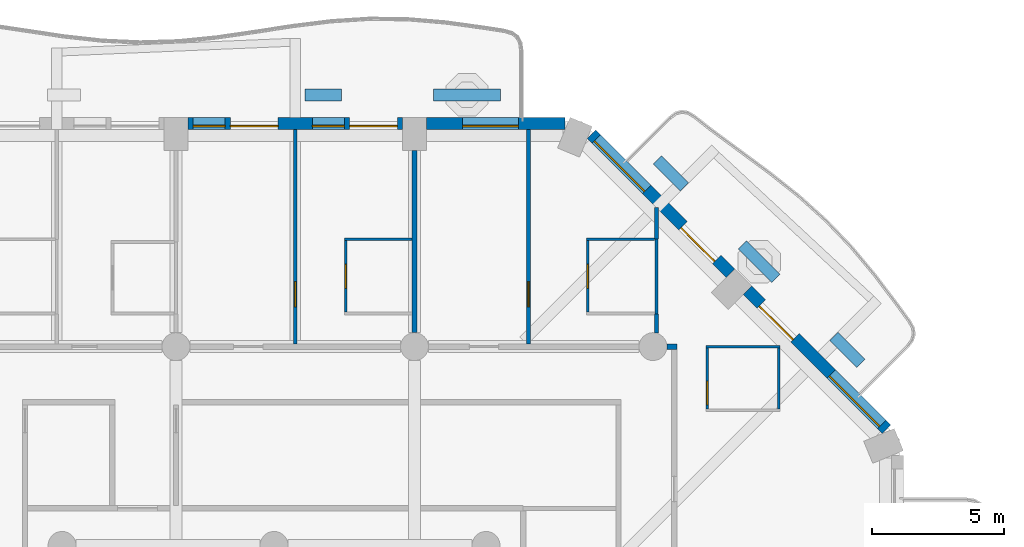
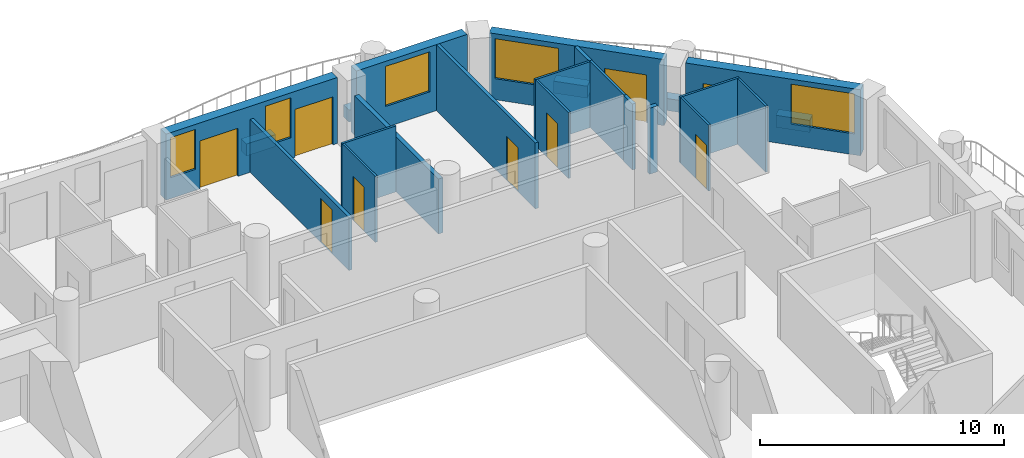
# One storey, part 10 of 20: 23 walls, 9 doors, 5 windows, 14 openings.
"""IFC4 building model written with IfcOpenShell, lengths in metres."""

from ifc_helpers import new_model, si_unit, direction, frame, frame_2d, origin, place, context, subcontext, project, spatial, rectangle, extrude, material, layer, layer_set, type_object, element, fill, save


model = new_model("IFC4")

# Units and contexts
model_context = context("Model", 3, precision=1e-05, world=origin(), true_north=direction((0.0, 1.0)))
body_context = subcontext(model_context, "Body", "Model", "MODEL_VIEW")
ifc_project = project(units=[si_unit("LENGTHUNIT", "METRE"), si_unit("AREAUNIT", "SQUARE_METRE"), si_unit("VOLUMEUNIT", "CUBIC_METRE"), si_unit("PLANEANGLEUNIT", "RADIAN"), si_unit("MASSUNIT", "GRAM", prefix="KILO")], contexts=[model_context])

# Site, building, storey
site_placement = place(None, origin())
site = spatial("IfcSite", under=ifc_project, at=site_placement, CompositionType="ELEMENT")
building_placement = place(site_placement, origin())
building = spatial("IfcBuilding", under=site, at=building_placement, Name="Cypress Arch Tower", CompositionType="ELEMENT")
storey_placement = place(building_placement, frame((0.0, 0.0, 113.10009765625)))
storey = spatial("IfcBuildingStorey", under=building, at=storey_placement, Name="L23", CompositionType="ELEMENT", Elevation=113.10009765625)

# Walls
ifc_material_1 = material(Name="Concrete C40/50, waterproofed", Category="concrete")
ifc_layer_1 = layer(ifc_material_1, 0.449951171875)
ifc_layer_set_1 = layer_set([ifc_layer_1], Name="Balcony planter wall PW450")
wall_type_1 = type_object("IfcWallType", Name="Balcony planter wall PW450", PredefinedType="SOLIDWALL", material=ifc_layer_set_1)
wall_1_placement = place(storey_placement, frame((23.150390625, 16.86376953125, 0.0), z_axis=(0.0, 0.0, 1.0), x_axis=(-0.707106781187, 0.707106781187, 0.0)))
element("IfcWall", 1, at=wall_1_placement, inside=storey, type_object=wall_type_1, Name="Balcony planter wall L23-A07.1", PredefinedType="SOLIDWALL", context=body_context, shape_type="SweptSolid", body=[
    extrude(rectangle(XDim=1.44482421875, YDim=0.449951171875, at=frame_2d((0.722412109375, 0.0))), origin(), (0.0, 0.0, 1.0), 0.599853515625),
])
wall_2_placement = place(storey_placement, frame((19.9365234375, 20.07763671875, 0.0), z_axis=(0.0, 0.0, 1.0), x_axis=(-0.707106781187, 0.707106781187, 0.0)))
element("IfcWall", 2, at=wall_2_placement, inside=storey, type_object=wall_type_1, Name="Balcony planter wall L23-A07.2", PredefinedType="SOLIDWALL", context=body_context, shape_type="SweptSolid", body=[
    extrude(rectangle(XDim=1.780517578125, YDim=0.449951171875, at=frame_2d((0.89013671875, 0.0))), origin(), (0.0, 0.0, 1.0), 0.599853515625),
])
wall_3_placement = place(storey_placement, frame((16.485595703125, 23.528564453125, 0.0), z_axis=(0.0, 0.0, 1.0), x_axis=(-0.707022305137, 0.707191247145, 0.0)))
element("IfcWall", 3, at=wall_3_placement, inside=storey, type_object=wall_type_1, Name="Balcony planter wall L23-A07.3", PredefinedType="SOLIDWALL", context=body_context, shape_type="SweptSolid", body=[
    extrude(rectangle(XDim=1.445068359375, YDim=0.449951171875, at=frame_2d((0.72265625, 0.0))), origin(), (0.0, 0.0, 1.0), 0.599853515625),
])
wall_4_placement = place(storey_placement, frame((9.550048828125, 27.0, 0.0), z_axis=(0.0, 0.0, 1.0), x_axis=(-1.0, 0.0, 0.0)))
element("IfcWall", 4, at=wall_4_placement, inside=storey, type_object=wall_type_1, Name="Balcony planter wall L23-A08.1", PredefinedType="SOLIDWALL", context=body_context, shape_type="SweptSolid", body=[
    extrude(rectangle(XDim=2.53759765625, YDim=0.449951171875, at=frame_2d((1.268798828125, 0.0))), origin(), (0.0, 0.0, 1.0), 0.599853515625),
])
wall_5_placement = place(storey_placement, frame((3.550048828125, 27.0, 0.0), z_axis=(0.0, 0.0, 1.0), x_axis=(-1.0, 0.0, 0.0)))
element("IfcWall", 5, at=wall_5_placement, inside=storey, type_object=wall_type_1, Name="Balcony planter wall L23-A08.2", PredefinedType="SOLIDWALL", context=body_context, shape_type="SweptSolid", body=[
    extrude(rectangle(XDim=1.375, YDim=0.449951171875, at=frame_2d((0.6875, 0.0))), origin(), (0.0, 0.0, 1.0), 0.599853515625),
])

# Wall, openings, door, window
ifc_material_2 = material(Name="Brick (red buff blend)", Category="masonry")
ifc_layer_2 = layer(ifc_material_2, 0.449951171875)
ifc_layer_set_2 = layer_set([ifc_layer_2], Name="Brick pier and spandrel wall BW450")
wall_type_2 = type_object("IfcWallType", Name="Brick pier and spandrel wall BW450", PredefinedType="SOLIDWALL", material=ifc_layer_set_2)
wall_6_placement = place(storey_placement, frame((24.11474609375, 14.379150390625, 0.0), z_axis=(0.0, 0.0, 1.0), x_axis=(-0.707106781187, 0.707106781187, 0.0)))
wall_6 = element("IfcWall", 6, at=wall_6_placement, inside=storey, type_object=wall_type_2, Name="Brick wall L23 A07.0", PredefinedType="SOLIDWALL", context=body_context, shape_type="SweptSolid", body=[
    extrude(rectangle(XDim=7.423828125, YDim=0.449951171875, at=frame_2d((3.7119140625, 0.0))), origin(), (0.0, 0.0, 1.0), 3.2998046875),
])
opening_1_placement = place(wall_6_placement, frame((0.253173828125, 0.0, 1.050048828125)))
opening_1 = element("IfcOpeningElement", 7, at=opening_1_placement, cuts=wall_6, Name="Opening W270HD", PredefinedType="OPENING", context=body_context, shape_type="SweptSolid", body=[
    extrude(rectangle(XDim=2.699951171875, YDim=2.0, at=frame_2d((1.35009765625, 1.0))), frame((0.0, 0.23486328125, 0.0), z_axis=(0.0, -1.0, 0.0), x_axis=(1.0, 0.0, 0.0)), (0.0, 0.0, 1.0), 0.469970703125),
])
opening_2_placement = place(wall_6_placement, frame((4.8837890625, 0.0, 0.0)))
opening_2 = element("IfcOpeningElement", 8, at=opening_2_placement, cuts=wall_6, Name="Opening D-L23-A07.0.2", PredefinedType="OPENING", context=body_context, shape_type="SweptSolid", body=[
    extrude(rectangle(XDim=1.800048828125, YDim=2.39990234375, at=frame_2d((0.89990234375, 1.199951171875))), frame((0.0, 0.23486328125, 0.0), z_axis=(0.0, -1.0, 0.0), x_axis=(1.0, 0.0, 0.0)), (0.0, 0.0, 1.0), 0.469970703125),
])
ifc_material_3 = material(Name="Anodised aluminium, bronze finish, laminated low-emissivity double glazing, large-missile impact rated", Category="aluminium")
door_type_1 = type_object("IfcDoorType", Name="Balcony sliding door 1800x2400", OperationType="SLIDING_TO_LEFT", PredefinedType="DOOR", material=ifc_material_3)
door_1_placement = place(opening_2_placement, origin())
door_1 = element("IfcDoor", 9, at=door_1_placement, inside=storey, type_object=door_type_1, Name="Balcony door L23 A07.0.2", OperationType="SLIDING_TO_LEFT", OverallHeight=2.39990234375, OverallWidth=1.800048828125, PredefinedType="DOOR", context=body_context, shape_type="SweptSolid", body=[
    extrude(rectangle(XDim=1.800048828125, YDim=2.39990234375, at=frame_2d((0.89990234375, 1.199951171875))), frame((0.0, 0.1298828125, 0.0), z_axis=(0.0, -1.0, 0.0), x_axis=(1.0, 0.0, 0.0)), (0.0, 0.0, 1.0), 0.050048828125),
])
fill(opening_2, door_1)
ifc_material_4 = material(Name="Anodised aluminium, bronze finish, laminated low-emissivity double glazing, large-missile impact rated", Category="aluminium")
window_type_1 = type_object("IfcWindowType", Name="Window Hotel 2700x2000 debris-rated", PartitioningType="SINGLE_PANEL", PredefinedType="WINDOW", material=ifc_material_4)
window_1_placement = place(opening_1_placement, origin())
window_1 = element("IfcWindow", 10, at=window_1_placement, inside=storey, type_object=window_type_1, Name="Window L23 A07.0.1", OverallHeight=2.0, OverallWidth=2.699951171875, PartitioningType="SINGLE_PANEL", PredefinedType="WINDOW", context=body_context, shape_type="SweptSolid", body=[
    extrude(rectangle(XDim=2.699951171875, YDim=2.0, at=frame_2d((1.35009765625, 1.0))), frame((0.0, 0.135009765625, 0.0), z_axis=(0.0, -1.0, 0.0), x_axis=(1.0, 0.0, 0.0)), (0.0, 0.0, 1.0), 0.06005859375),
])
fill(opening_1, window_1)

wall_7_placement = place(storey_placement, frame((18.228759765625, 20.26513671875, 0.0), z_axis=(0.0, 0.0, 1.0), x_axis=(-0.707106781187, 0.707106781187, 0.0)))
wall_7 = element("IfcWall", 11, at=wall_7_placement, inside=storey, type_object=wall_type_2, Name="Brick wall L23 A07.1", PredefinedType="SOLIDWALL", context=body_context, shape_type="SweptSolid", body=[
    extrude(rectangle(XDim=7.423828125, YDim=0.449951171875, at=frame_2d((3.7119140625, 0.0))), origin(), (0.0, 0.0, 1.0), 3.2998046875),
])
opening_3_placement = place(wall_7_placement, frame((0.740234375, 0.0, 0.0)))
opening_3 = element("IfcOpeningElement", 12, at=opening_3_placement, cuts=wall_7, Name="Opening D-L23-A07.1.1", PredefinedType="OPENING", context=body_context, shape_type="SweptSolid", body=[
    extrude(rectangle(XDim=1.800048828125, YDim=2.39990234375, at=frame_2d((0.89990234375, 1.199951171875))), frame((0.0, 0.23486328125, 0.0), z_axis=(0.0, -1.0, 0.0), x_axis=(1.0, 0.0, 0.0)), (0.0, 0.0, 1.0), 0.469970703125),
])
opening_4_placement = place(wall_7_placement, frame((4.470703125, 0.0, 1.050048828125)))
opening_4 = element("IfcOpeningElement", 13, at=opening_4_placement, cuts=wall_7, Name="Opening W270HD", PredefinedType="OPENING", context=body_context, shape_type="SweptSolid", body=[
    extrude(rectangle(XDim=2.699951171875, YDim=2.0, at=frame_2d((1.35009765625, 1.0))), frame((0.0, 0.23486328125, 0.0), z_axis=(0.0, -1.0, 0.0), x_axis=(1.0, 0.0, 0.0)), (0.0, 0.0, 1.0), 0.469970703125),
])
door_2_placement = place(opening_3_placement, origin())
door_2 = element("IfcDoor", 14, at=door_2_placement, inside=storey, type_object=door_type_1, Name="Balcony door L23 A07.1.1", OperationType="SLIDING_TO_LEFT", OverallHeight=2.39990234375, OverallWidth=1.800048828125, PredefinedType="DOOR", context=body_context, shape_type="SweptSolid", body=[
    extrude(rectangle(XDim=1.800048828125, YDim=2.39990234375, at=frame_2d((0.89990234375, 1.199951171875))), frame((0.0, 0.1298828125, 0.0), z_axis=(0.0, -1.0, 0.0), x_axis=(1.0, 0.0, 0.0)), (0.0, 0.0, 1.0), 0.050048828125),
])
fill(opening_3, door_2)
window_2_placement = place(opening_4_placement, origin())
window_2 = element("IfcWindow", 15, at=window_2_placement, inside=storey, type_object=window_type_1, Name="Window L23 A07.1.2", OverallHeight=2.0, OverallWidth=2.699951171875, PartitioningType="SINGLE_PANEL", PredefinedType="WINDOW", context=body_context, shape_type="SweptSolid", body=[
    extrude(rectangle(XDim=2.699951171875, YDim=2.0, at=frame_2d((1.35009765625, 1.0))), frame((0.0, 0.135009765625, 0.0), z_axis=(0.0, -1.0, 0.0), x_axis=(1.0, 0.0, 0.0)), (0.0, 0.0, 1.0), 0.06005859375),
])
fill(opening_4, window_2)

# Wall, opening, window
wall_8_placement = place(storey_placement, frame((11.98876953125, 25.925048828125, 0.0), z_axis=(0.0, 0.0, 1.0), x_axis=(-1.0, 0.0, 0.0)))
wall_8 = element("IfcWall", 16, at=wall_8_placement, inside=storey, type_object=wall_type_2, Name="Brick wall L23 A08.0", PredefinedType="SOLIDWALL", context=body_context, shape_type="SweptSolid", body=[
    extrude(rectangle(XDim=5.23876953125, YDim=0.449951171875, at=frame_2d((2.619384765625, 0.0))), origin(), (0.0, 0.0, 1.0), 3.2998046875),
])
opening_5_placement = place(wall_8_placement, frame((1.769775390625, 0.0, 1.050048828125)))
opening_5 = element("IfcOpeningElement", 17, at=opening_5_placement, cuts=wall_8, Name="Opening W210HD", PredefinedType="OPENING", context=body_context, shape_type="SweptSolid", body=[
    extrude(rectangle(XDim=2.10009765625, YDim=2.0, at=frame_2d((1.050048828125, 1.0))), frame((0.0, 0.23486328125, 0.0), z_axis=(0.0, -1.0, 0.0), x_axis=(1.0, 0.0, 0.0)), (0.0, 0.0, 1.0), 0.469970703125),
])
ifc_material_5 = material(Name="Anodised aluminium, bronze finish, laminated low-emissivity double glazing, large-missile impact rated", Category="aluminium")
window_type_2 = type_object("IfcWindowType", Name="Window Hotel 2100x2000 debris-rated", PartitioningType="SINGLE_PANEL", PredefinedType="WINDOW", material=ifc_material_5)
window_3_placement = place(opening_5_placement, origin())
window_3 = element("IfcWindow", 18, at=window_3_placement, inside=storey, type_object=window_type_2, Name="Window L23 A08.0.1", OverallHeight=2.0, OverallWidth=2.10009765625, PartitioningType="SINGLE_PANEL", PredefinedType="WINDOW", context=body_context, shape_type="SweptSolid", body=[
    extrude(rectangle(XDim=2.10009765625, YDim=2.0, at=frame_2d((1.050048828125, 1.0))), frame((0.0, 0.135009765625, 0.0), z_axis=(0.0, -1.0, 0.0), x_axis=(1.0, 0.0, 0.0)), (0.0, 0.0, 1.0), 0.06005859375),
])
fill(opening_5, window_3)

# Wall, openings, doors, windows
wall_9_placement = place(storey_placement, frame((5.85009765625, 25.925048828125, 0.0), z_axis=(0.0, 0.0, 1.0), x_axis=(-1.0, 0.0, 0.0)))
wall_9 = element("IfcWall", 19, at=wall_9_placement, inside=storey, type_object=wall_type_2, Name="Brick wall L23 A08.1", PredefinedType="SOLIDWALL", context=body_context, shape_type="SweptSolid", body=[
    extrude(rectangle(XDim=8.10009765625, YDim=0.449951171875, at=frame_2d((4.050048828125, 0.0))), origin(), (0.0, 0.0, 1.0), 3.2998046875),
])
opening_6_placement = place(wall_9_placement, frame((0.199951171875, 0.0, 0.0)))
opening_6 = element("IfcOpeningElement", 20, at=opening_6_placement, cuts=wall_9, Name="Opening D-L23-A08.1.1", PredefinedType="OPENING", context=body_context, shape_type="SweptSolid", body=[
    extrude(rectangle(XDim=1.800048828125, YDim=2.39990234375, at=frame_2d((0.89990234375, 1.199951171875))), frame((0.0, 0.23486328125, 0.0), z_axis=(0.0, -1.0, 0.0), x_axis=(1.0, 0.0, 0.0)), (0.0, 0.0, 1.0), 0.469970703125),
])
opening_7_placement = place(wall_9_placement, frame((2.199951171875, 0.0, 1.050048828125)))
opening_7 = element("IfcOpeningElement", 21, at=opening_7_placement, cuts=wall_9, Name="Opening W120HD", PredefinedType="OPENING", context=body_context, shape_type="SweptSolid", body=[
    extrude(rectangle(XDim=1.199951171875, YDim=2.0, at=frame_2d((0.60009765625, 1.0))), frame((0.0, 0.23486328125, 0.0), z_axis=(0.0, -1.0, 0.0), x_axis=(1.0, 0.0, 0.0)), (0.0, 0.0, 1.0), 0.469970703125),
])
opening_8_placement = place(wall_9_placement, frame((4.699951171875, 0.0, 0.0)))
opening_8 = element("IfcOpeningElement", 22, at=opening_8_placement, cuts=wall_9, Name="Opening D-L23-A08.1.2", PredefinedType="OPENING", context=body_context, shape_type="SweptSolid", body=[
    extrude(rectangle(XDim=1.800048828125, YDim=2.39990234375, at=frame_2d((0.89990234375, 1.199951171875))), frame((0.0, 0.23486328125, 0.0), z_axis=(0.0, -1.0, 0.0), x_axis=(1.0, 0.0, 0.0)), (0.0, 0.0, 1.0), 0.469970703125),
])
opening_9_placement = place(wall_9_placement, frame((6.699951171875, 0.0, 1.050048828125)))
opening_9 = element("IfcOpeningElement", 23, at=opening_9_placement, cuts=wall_9, Name="Opening W120HD", PredefinedType="OPENING", context=body_context, shape_type="SweptSolid", body=[
    extrude(rectangle(XDim=1.199951171875, YDim=2.0, at=frame_2d((0.60009765625, 1.0))), frame((0.0, 0.23486328125, 0.0), z_axis=(0.0, -1.0, 0.0), x_axis=(1.0, 0.0, 0.0)), (0.0, 0.0, 1.0), 0.469970703125),
])
door_3_placement = place(opening_6_placement, origin())
door_3 = element("IfcDoor", 24, at=door_3_placement, inside=storey, type_object=door_type_1, Name="Balcony door L23 A08.1.1", OperationType="SLIDING_TO_LEFT", OverallHeight=2.39990234375, OverallWidth=1.800048828125, PredefinedType="DOOR", context=body_context, shape_type="SweptSolid", body=[
    extrude(rectangle(XDim=1.800048828125, YDim=2.39990234375, at=frame_2d((0.89990234375, 1.199951171875))), frame((0.0, 0.1298828125, 0.0), z_axis=(0.0, -1.0, 0.0), x_axis=(1.0, 0.0, 0.0)), (0.0, 0.0, 1.0), 0.050048828125),
])
fill(opening_6, door_3)
door_4_placement = place(opening_8_placement, origin())
door_4 = element("IfcDoor", 25, at=door_4_placement, inside=storey, type_object=door_type_1, Name="Balcony door L23 A08.1.2", OperationType="SLIDING_TO_LEFT", OverallHeight=2.39990234375, OverallWidth=1.800048828125, PredefinedType="DOOR", context=body_context, shape_type="SweptSolid", body=[
    extrude(rectangle(XDim=1.800048828125, YDim=2.39990234375, at=frame_2d((0.89990234375, 1.199951171875))), frame((0.0, 0.1298828125, 0.0), z_axis=(0.0, -1.0, 0.0), x_axis=(1.0, 0.0, 0.0)), (0.0, 0.0, 1.0), 0.050048828125),
])
fill(opening_8, door_4)
ifc_material_6 = material(Name="Anodised aluminium, bronze finish, laminated low-emissivity double glazing, large-missile impact rated", Category="aluminium")
window_type_3 = type_object("IfcWindowType", Name="Window Hotel 1200x2000 debris-rated", PartitioningType="SINGLE_PANEL", PredefinedType="WINDOW", material=ifc_material_6)
window_4_placement = place(opening_7_placement, origin())
window_4 = element("IfcWindow", 26, at=window_4_placement, inside=storey, type_object=window_type_3, Name="Window L23 A08.1.1", OverallHeight=2.0, OverallWidth=1.199951171875, PartitioningType="SINGLE_PANEL", PredefinedType="WINDOW", context=body_context, shape_type="SweptSolid", body=[
    extrude(rectangle(XDim=1.199951171875, YDim=2.0, at=frame_2d((0.60009765625, 1.0))), frame((0.0, 0.135009765625, 0.0), z_axis=(0.0, -1.0, 0.0), x_axis=(1.0, 0.0, 0.0)), (0.0, 0.0, 1.0), 0.06005859375),
])
fill(opening_7, window_4)
window_5_placement = place(opening_9_placement, origin())
window_5 = element("IfcWindow", 27, at=window_5_placement, inside=storey, type_object=window_type_3, Name="Window L23 A08.1.2", OverallHeight=2.0, OverallWidth=1.199951171875, PartitioningType="SINGLE_PANEL", PredefinedType="WINDOW", context=body_context, shape_type="SweptSolid", body=[
    extrude(rectangle(XDim=1.199951171875, YDim=2.0, at=frame_2d((0.60009765625, 1.0))), frame((0.0, 0.135009765625, 0.0), z_axis=(0.0, -1.0, 0.0), x_axis=(1.0, 0.0, 0.0)), (0.0, 0.0, 1.0), 0.06005859375),
])
fill(opening_9, window_5)

# Wall
ifc_material_7 = material(Name="Concrete blockwork, plastered, rated", Category="masonry")
ifc_layer_3 = layer(ifc_material_7, 0.199951171875)
ifc_layer_set_3 = layer_set([ifc_layer_3], Name="Corridor wall FW200")
wall_type_3 = type_object("IfcWallType", Name="Corridor wall FW200", PredefinedType="PARTITIONING", material=ifc_layer_set_3)
wall_10_placement = place(storey_placement, frame((15.824951171875, 17.5, 0.0), z_axis=(0.0, 0.0, 1.0), x_axis=(1.0, 0.0, 0.0)))
element("IfcWall", 28, at=wall_10_placement, inside=storey, type_object=wall_type_3, Name="Corridor wall", PredefinedType="PARTITIONING", context=body_context, shape_type="SweptSolid", body=[
    extrude(rectangle(XDim=0.375, YDim=0.199951171875, at=frame_2d((0.1875, 0.0))), origin(), (0.0, 0.0, 1.0), 3.2998046875),
])

# Wall, opening, door
ifc_material_8 = material(Name="Blockwork, plastered both sides", Category="masonry")
ifc_layer_4 = layer(ifc_material_8, 0.14990234375)
ifc_layer_set_4 = layer_set([ifc_layer_4], Name="Partition PW150")
wall_type_4 = type_object("IfcWallType", Name="Partition PW150", PredefinedType="PARTITIONING", material=ifc_layer_set_4)
wall_11_placement = place(storey_placement, frame((1.800048828125, 17.60009765625, 0.0), z_axis=(0.0, 0.0, 1.0), x_axis=(0.0, 1.0, 0.0)))
wall_11 = element("IfcWall", 29, at=wall_11_placement, inside=storey, type_object=wall_type_4, Name="Partition", PredefinedType="PARTITIONING", context=body_context, shape_type="SweptSolid", body=[
    extrude(rectangle(XDim=8.099853515625, YDim=0.14990234375, at=frame_2d((4.0498046875, 0.0))), origin(), (0.0, 0.0, 1.0), 2.64990234375),
])
opening_10_placement = place(wall_11_placement, frame((1.39990234375, 0.0, 0.0)))
opening_10 = element("IfcOpeningElement", 30, at=opening_10_placement, cuts=wall_11, Name="Opening D12", PredefinedType="OPENING", context=body_context, shape_type="SweptSolid", body=[
    extrude(rectangle(XDim=0.949951171875, YDim=2.199951171875, at=frame_2d((0.47509765625, 1.10009765625))), frame((0.0, 0.0849609375, 0.0), z_axis=(0.0, -1.0, 0.0), x_axis=(1.0, 0.0, 0.0)), (0.0, 0.0, 1.0), 0.169921875),
])
ifc_material_9 = material(Name="Timber flush door", Category="wood")
door_type_2 = type_object("IfcDoorType", Name="Room door D12 950x2200", OperationType="SINGLE_SWING_LEFT", PredefinedType="DOOR", material=ifc_material_9)
door_5_placement = place(opening_10_placement, origin())
door_5 = element("IfcDoor", 31, at=door_5_placement, inside=storey, type_object=door_type_2, Name="Room door", OperationType="SINGLE_SWING_LEFT", OverallHeight=2.199951171875, OverallWidth=0.949951171875, PredefinedType="DOOR", context=body_context, shape_type="SweptSolid", body=[
    extrude(rectangle(XDim=0.949951171875, YDim=2.199951171875, at=frame_2d((0.47509765625, 1.10009765625))), frame((0.0, 0.02490234375, 0.0), z_axis=(0.0, -1.0, 0.0), x_axis=(1.0, 0.0, 0.0)), (0.0, 0.0, 1.0), 0.050048828125),
])
fill(opening_10, door_5)

wall_12_placement = place(storey_placement, frame((10.60009765625, 17.60009765625, 0.0), z_axis=(0.0, 0.0, 1.0), x_axis=(0.0, 1.0, 0.0)))
wall_12 = element("IfcWall", 32, at=wall_12_placement, inside=storey, type_object=wall_type_4, Name="Partition", PredefinedType="PARTITIONING", context=body_context, shape_type="SweptSolid", body=[
    extrude(rectangle(XDim=8.099853515625, YDim=0.14990234375, at=frame_2d((4.0498046875, 0.0))), origin(), (0.0, 0.0, 1.0), 3.2998046875),
])
opening_11_placement = place(wall_12_placement, frame((1.39990234375, 0.0, 0.0)))
opening_11 = element("IfcOpeningElement", 33, at=opening_11_placement, cuts=wall_12, Name="Opening D12", PredefinedType="OPENING", context=body_context, shape_type="SweptSolid", body=[
    extrude(rectangle(XDim=0.949951171875, YDim=2.199951171875, at=frame_2d((0.47509765625, 1.10009765625))), frame((0.0, 0.0849609375, 0.0), z_axis=(0.0, -1.0, 0.0), x_axis=(1.0, 0.0, 0.0)), (0.0, 0.0, 1.0), 0.169921875),
])
door_6_placement = place(opening_11_placement, origin())
door_6 = element("IfcDoor", 34, at=door_6_placement, inside=storey, type_object=door_type_2, Name="Room door", OperationType="SINGLE_SWING_LEFT", OverallHeight=2.199951171875, OverallWidth=0.949951171875, PredefinedType="DOOR", context=body_context, shape_type="SweptSolid", body=[
    extrude(rectangle(XDim=0.949951171875, YDim=2.199951171875, at=frame_2d((0.47509765625, 1.10009765625))), frame((0.0, 0.02490234375, 0.0), z_axis=(0.0, -1.0, 0.0), x_axis=(1.0, 0.0, 0.0)), (0.0, 0.0, 1.0), 0.050048828125),
])
fill(opening_11, door_6)

# Walls
wall_13_placement = place(storey_placement, frame((15.431884765625, 18.015869140625, 0.0), z_axis=(0.0, 0.0, 1.0), x_axis=(0.0, 1.0, 0.0)))
element("IfcWall", 35, at=wall_13_placement, inside=storey, type_object=wall_type_4, Name="Partition", PredefinedType="PARTITIONING", context=body_context, shape_type="SweptSolid", body=[
    extrude(rectangle(XDim=0.714111328125, YDim=0.14990234375, at=frame_2d((0.35693359375, 0.0))), origin(), (0.0, 0.0, 1.0), 3.2998046875),
])
wall_14_placement = place(storey_placement, frame((15.431884765625, 21.570068359375, 0.0), z_axis=(0.0, 0.0, 1.0), x_axis=(0.0, 1.0, 0.0)))
element("IfcWall", 36, at=wall_14_placement, inside=storey, type_object=wall_type_4, Name="Partition", PredefinedType="PARTITIONING", context=body_context, shape_type="SweptSolid", body=[
    extrude(rectangle(XDim=1.173583984375, YDim=0.14990234375, at=frame_2d((0.5869140625, 0.0))), origin(), (0.0, 0.0, 1.0), 3.2998046875),
])
ifc_material_10 = material(Name="Dense blockwork, plastered both sides, acoustic and rated", Category="masonry")
ifc_layer_5 = layer(ifc_material_10, 0.199951171875)
ifc_layer_set_5 = layer_set([ifc_layer_5], Name="Party wall PW200")
wall_type_5 = type_object("IfcWallType", Name="Party wall PW200", PredefinedType="PARTITIONING", material=ifc_layer_set_5)
wall_15_placement = place(storey_placement, frame((6.300048828125, 18.02490234375, 0.0), z_axis=(0.0, 0.0, 1.0), x_axis=(0.0, 1.0, 0.0)))
element("IfcWall", 37, at=wall_15_placement, inside=storey, type_object=wall_type_5, Name="Party wall", PredefinedType="PARTITIONING", context=body_context, shape_type="SweptSolid", body=[
    extrude(rectangle(XDim=6.875, YDim=0.199951171875, at=frame_2d((3.4375, 0.0))), origin(), (0.0, 0.0, 1.0), 2.75),
])

# Wall, opening, door
ifc_material_11 = material(Name="Moisture resistant board on steel studs, tiled", Category="steel")
ifc_layer_6 = layer(ifc_material_11, 0.10009765625)
ifc_layer_set_6 = layer_set([ifc_layer_6], Name="Wet wall PW100")
wall_type_6 = type_object("IfcWallType", Name="Wet wall PW100", PredefinedType="PARTITIONING", material=ifc_layer_set_6)
wall_16_placement = place(storey_placement, frame((3.7041015625, 18.800048828125, 0.0), z_axis=(0.0, 0.0, 1.0), x_axis=(0.0, 1.0, 0.0)))
wall_16 = element("IfcWall", 38, at=wall_16_placement, inside=storey, type_object=wall_type_6, Name="Wet wall", PredefinedType="PARTITIONING", context=body_context, shape_type="SweptSolid", body=[
    extrude(rectangle(XDim=2.699951171875, YDim=0.10009765625, at=frame_2d((1.35009765625, 0.0))), origin(), (0.0, 0.0, 1.0), 3.2998046875),
])
opening_12_placement = place(wall_16_placement, frame((0.89990234375, 0.0, 0.0)))
opening_12 = element("IfcOpeningElement", 39, at=opening_12_placement, cuts=wall_16, Name="Opening D03", PredefinedType="OPENING", context=body_context, shape_type="SweptSolid", body=[
    extrude(rectangle(XDim=0.89990234375, YDim=2.199951171875, at=frame_2d((0.449951171875, 1.10009765625))), frame((0.0, 0.06005859375, 0.0), z_axis=(0.0, -1.0, 0.0), x_axis=(1.0, 0.0, 0.0)), (0.0, 0.0, 1.0), 0.1201171875),
])
ifc_material_12 = material(Name="Timber flush door, moisture resistant", Category="wood")
door_type_3 = type_object("IfcDoorType", Name="Bathroom door D03 900x2200", OperationType="SINGLE_SWING_LEFT", PredefinedType="DOOR", material=ifc_material_12)
door_7_placement = place(opening_12_placement, origin())
door_7 = element("IfcDoor", 40, at=door_7_placement, inside=storey, type_object=door_type_3, Name="Bathroom door", OperationType="SINGLE_SWING_LEFT", OverallHeight=2.199951171875, OverallWidth=0.89990234375, PredefinedType="DOOR", context=body_context, shape_type="SweptSolid", body=[
    extrude(rectangle(XDim=0.89990234375, YDim=2.199951171875, at=frame_2d((0.449951171875, 1.10009765625))), frame((0.0, 0.02490234375, 0.0), z_axis=(0.0, -1.0, 0.0), x_axis=(1.0, 0.0, 0.0)), (0.0, 0.0, 1.0), 0.050048828125),
])
fill(opening_12, door_7)

# Wall
wall_17_placement = place(storey_placement, frame((3.654052734375, 21.550048828125, 0.0), z_axis=(0.0, 0.0, 1.0), x_axis=(1.0, 0.0, 0.0)))
element("IfcWall", 41, at=wall_17_placement, inside=storey, type_object=wall_type_6, Name="Wet wall", PredefinedType="PARTITIONING", context=body_context, shape_type="SweptSolid", body=[
    extrude(rectangle(XDim=2.5458984375, YDim=0.10009765625, at=frame_2d((1.27294921875, 0.0))), origin(), (0.0, 0.0, 1.0), 3.2998046875),
])

# Wall, opening, door
wall_18_placement = place(storey_placement, frame((12.8359375, 18.800048828125, 0.0), z_axis=(0.0, 0.0, 1.0), x_axis=(0.0, 1.0, 0.0)))
wall_18 = element("IfcWall", 42, at=wall_18_placement, inside=storey, type_object=wall_type_6, Name="Wet wall", PredefinedType="PARTITIONING", context=body_context, shape_type="SweptSolid", body=[
    extrude(rectangle(XDim=2.699951171875, YDim=0.10009765625, at=frame_2d((1.35009765625, 0.0))), origin(), (0.0, 0.0, 1.0), 3.2998046875),
])
opening_13_placement = place(wall_18_placement, frame((0.89990234375, 0.0, 0.0)))
opening_13 = element("IfcOpeningElement", 43, at=opening_13_placement, cuts=wall_18, Name="Opening D03", PredefinedType="OPENING", context=body_context, shape_type="SweptSolid", body=[
    extrude(rectangle(XDim=0.89990234375, YDim=2.199951171875, at=frame_2d((0.449951171875, 1.10009765625))), frame((0.0, 0.06005859375, 0.0), z_axis=(0.0, -1.0, 0.0), x_axis=(1.0, 0.0, 0.0)), (0.0, 0.0, 1.0), 0.1201171875),
])
door_8_placement = place(opening_13_placement, origin())
door_8 = element("IfcDoor", 44, at=door_8_placement, inside=storey, type_object=door_type_3, Name="Bathroom door", OperationType="SINGLE_SWING_LEFT", OverallHeight=2.199951171875, OverallWidth=0.89990234375, PredefinedType="DOOR", context=body_context, shape_type="SweptSolid", body=[
    extrude(rectangle(XDim=0.89990234375, YDim=2.199951171875, at=frame_2d((0.449951171875, 1.10009765625))), frame((0.0, 0.02490234375, 0.0), z_axis=(0.0, -1.0, 0.0), x_axis=(1.0, 0.0, 0.0)), (0.0, 0.0, 1.0), 0.050048828125),
])
fill(opening_13, door_8)

# Walls
wall_19_placement = place(storey_placement, frame((12.785888671875, 21.550048828125, 0.0), z_axis=(0.0, 0.0, 1.0), x_axis=(1.0, 0.0, 0.0)))
element("IfcWall", 45, at=wall_19_placement, inside=storey, type_object=wall_type_6, Name="Wet wall", PredefinedType="PARTITIONING", context=body_context, shape_type="SweptSolid", body=[
    extrude(rectangle(XDim=2.571044921875, YDim=0.10009765625, at=frame_2d((1.28564453125, 0.0))), origin(), (0.0, 0.0, 1.0), 3.2998046875),
])
wall_20_placement = place(storey_placement, frame((15.431884765625, 18.72998046875, 0.0), z_axis=(0.0, 0.0, 1.0), x_axis=(0.0, 1.0, 0.0)))
element("IfcWall", 46, at=wall_20_placement, inside=storey, type_object=wall_type_6, Name="Wet wall", PredefinedType="PARTITIONING", context=body_context, shape_type="SweptSolid", body=[
    extrude(rectangle(XDim=2.840087890625, YDim=0.10009765625, at=frame_2d((1.419921875, 0.0))), origin(), (0.0, 0.0, 1.0), 3.2998046875),
])

# Wall, opening, door
wall_21_placement = place(storey_placement, frame((17.35009765625, 15.14990234375, 0.0), z_axis=(0.0, 0.0, 1.0), x_axis=(0.0, 1.0, 0.0)))
wall_21 = element("IfcWall", 47, at=wall_21_placement, inside=storey, type_object=wall_type_6, Name="Wet wall", PredefinedType="PARTITIONING", context=body_context, shape_type="SweptSolid", body=[
    extrude(rectangle(XDim=2.300048828125, YDim=0.10009765625, at=frame_2d((1.14990234375, 0.0))), origin(), (0.0, 0.0, 1.0), 3.2998046875),
])
opening_14_placement = place(wall_21_placement, frame((0.14990234375, 0.0, 0.0)))
opening_14 = element("IfcOpeningElement", 48, at=opening_14_placement, cuts=wall_21, Name="Opening D03", PredefinedType="OPENING", context=body_context, shape_type="SweptSolid", body=[
    extrude(rectangle(XDim=0.89990234375, YDim=2.199951171875, at=frame_2d((0.449951171875, 1.10009765625))), frame((0.0, 0.06005859375, 0.0), z_axis=(0.0, -1.0, 0.0), x_axis=(1.0, 0.0, 0.0)), (0.0, 0.0, 1.0), 0.1201171875),
])
door_9_placement = place(opening_14_placement, origin())
door_9 = element("IfcDoor", 49, at=door_9_placement, inside=storey, type_object=door_type_3, Name="Bathroom door", OperationType="SINGLE_SWING_RIGHT", OverallHeight=2.199951171875, OverallWidth=0.89990234375, PredefinedType="DOOR", context=body_context, shape_type="SweptSolid", body=[
    extrude(rectangle(XDim=0.89990234375, YDim=2.199951171875, at=frame_2d((0.449951171875, 1.10009765625))), frame((0.0, 0.02490234375, 0.0), z_axis=(0.0, -1.0, 0.0), x_axis=(1.0, 0.0, 0.0)), (0.0, 0.0, 1.0), 0.050048828125),
])
fill(opening_14, door_9)

# Walls
wall_22_placement = place(storey_placement, frame((17.300048828125, 17.5, 0.0), z_axis=(0.0, 0.0, 1.0), x_axis=(1.0, 0.0, 0.0)))
element("IfcWall", 50, at=wall_22_placement, inside=storey, type_object=wall_type_6, Name="Wet wall", PredefinedType="PARTITIONING", context=body_context, shape_type="SweptSolid", body=[
    extrude(rectangle(XDim=2.800048828125, YDim=0.10009765625, at=frame_2d((1.39990234375, 0.0))), origin(), (0.0, 0.0, 1.0), 3.2998046875),
])
wall_23_placement = place(storey_placement, frame((20.050048828125, 15.14990234375, 0.0), z_axis=(0.0, 0.0, 1.0), x_axis=(0.0, 1.0, 0.0)))
element("IfcWall", 51, at=wall_23_placement, inside=storey, type_object=wall_type_6, Name="Wet wall", PredefinedType="PARTITIONING", context=body_context, shape_type="SweptSolid", body=[
    extrude(rectangle(XDim=2.300048828125, YDim=0.10009765625, at=frame_2d((1.14990234375, 0.0))), origin(), (0.0, 0.0, 1.0), 3.2998046875),
])

save(model, "model.ifc")
